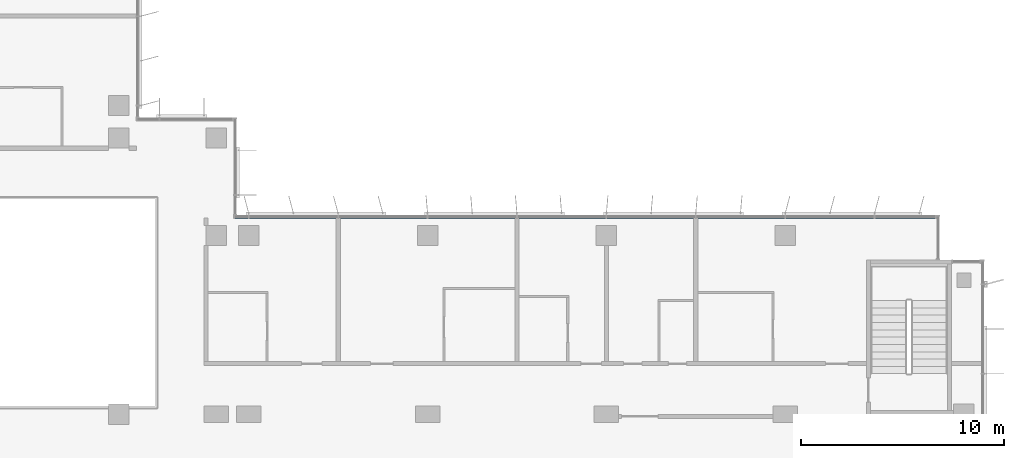
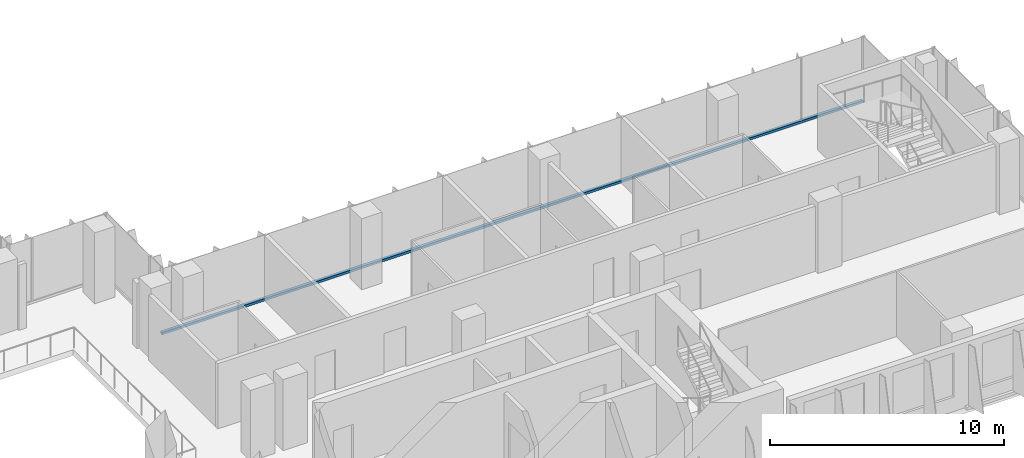
# One storey, part 3 of 21: 1 member, 1 element without a shape of its own.
"""IFC4 building model written with IfcOpenShell, lengths in metres."""

from ifc_helpers import new_model, si_unit, direction, frame, origin, origin_2d, place, context, subcontext, project, spatial, rectangle, extrude, material, material_profile, profile_set, type_object, element, aggregate, save


model = new_model("IFC4")

# Units and contexts
model_context = context("Model", 3, precision=1e-05, world=origin(), true_north=direction((0.0, 1.0)))
body_context = subcontext(model_context, "Body", "Model", "MODEL_VIEW")
ifc_project = project(units=[si_unit("LENGTHUNIT", "METRE"), si_unit("AREAUNIT", "SQUARE_METRE"), si_unit("VOLUMEUNIT", "CUBIC_METRE"), si_unit("PLANEANGLEUNIT", "RADIAN"), si_unit("MASSUNIT", "GRAM", prefix="KILO")], contexts=[model_context])

# Site, building, storey
site_placement = place(None, origin())
site = spatial("IfcSite", under=ifc_project, at=site_placement, CompositionType="ELEMENT")
building_placement = place(site_placement, origin())
building = spatial("IfcBuilding", under=site, at=building_placement, Name="Kemantara Hotel Tower", CompositionType="ELEMENT")
storey_placement = place(building_placement, frame((0.0, 0.0, 179.0)))
storey = spatial("IfcBuildingStorey", under=building, at=storey_placement, Name="L44", CompositionType="ELEMENT", Elevation=179.0)

# Curtain wall, member
ifc_material_1 = material(Name="Low-E tinted double insulated glass 36 mm", Category="glass")
curtain_wall_type = type_object("IfcCurtainWallType", Name="TOWER CURTAIN WALL, FRONT FACES", PredefinedType="USERDEFINED", material=ifc_material_1)
curtain_wall_placement = place(storey_placement, origin())
curtain_wall = element("IfcCurtainWall", 1, at=curtain_wall_placement, inside=storey, type_object=curtain_wall_type, Name="CW4 L44 T3-R14-1", ObjectType="TOWER CURTAIN WALL, FRONT FACES", PredefinedType="USERDEFINED")
ifc_material_2 = material(Name="Aluminium 6063-T6 bronze anodised", Category="aluminium")
ifc_material_profile = material_profile(ifc_material_2, rectangle(XDim=0.14990234375, YDim=0.1201171875, at=origin_2d()), Name="TOWER CURTAIN WALL, FRONT FACES TRANSOM")
ifc_profile_set = profile_set([ifc_material_profile], Name="Aluminium 6063-T6 bronze anodised")
member_type = type_object("IfcMemberType", Name="TOWER CURTAIN WALL, FRONT FACES TRANSOM", PredefinedType="USERDEFINED", material=ifc_profile_set)
member_placement = place(storey_placement, frame((61.25, 21.925048828125, 0.06005859375), z_axis=(-1.0, 0.0, 0.0), x_axis=(0.0, -1.0, 0.0)))
member = element("IfcMember", 2, at=member_placement, type_object=member_type, Name="CW4 sill transom T3-R14-1", ObjectType="TRANSOM", PredefinedType="USERDEFINED", context=body_context, shape_type="SweptSolid", body=[
    extrude(rectangle(XDim=0.14990234375, YDim=0.1201171875, at=origin_2d()), origin(), (0.0, 0.0, 1.0), 34.60009765625),
])
aggregate(curtain_wall, [member])

save(model, "model.ifc")
